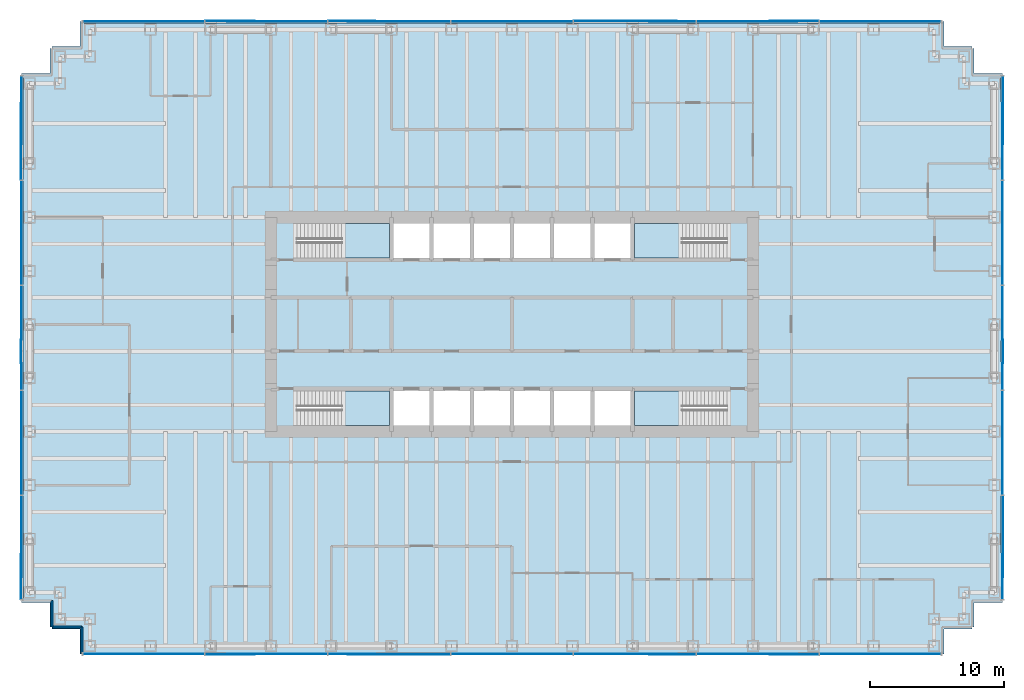
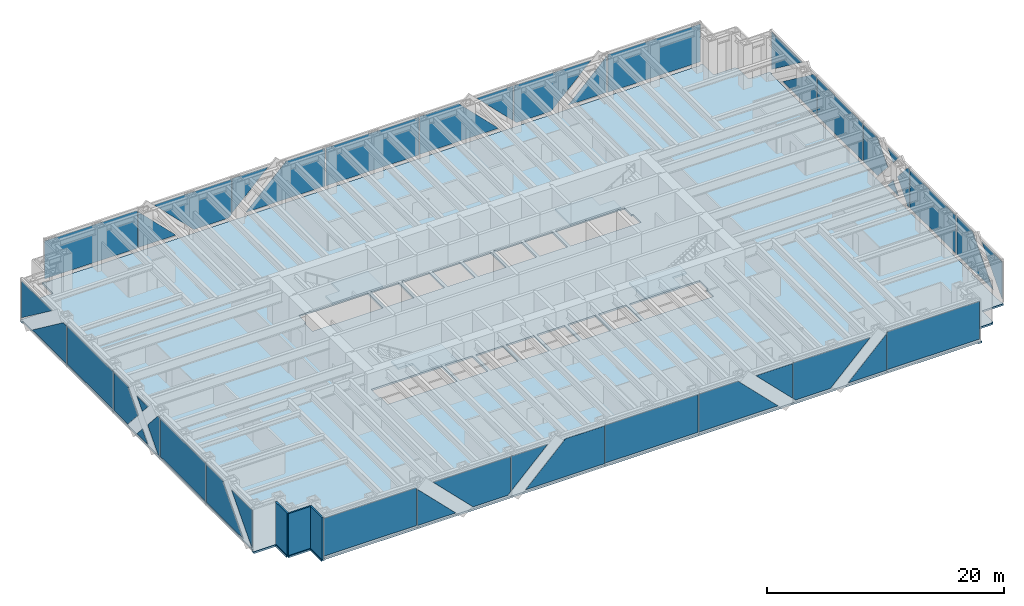
# One storey, part 8 of 13: 42 plates, 5 slabs, 3 walls, 8 elements without a shape of their own.
"""IFC4 building model written with IfcOpenShell, lengths in metres."""

import ifcopenshell
import ifcopenshell.guid

model = None  # the IFC model being written
_history = None  # IfcOwnerHistory: only IFC2X3 demands one
_inside = {}  # id of a spatial element -> (the spatial element, [elements in it])
_under = {}  # id of a project, library or spatial element -> (it, [spatial elements below it])
_declared = {}  # id of a project -> (the project, [libraries it declares])
_typed = {}  # id of a type object -> (the type object, [elements of that type])
_made_of = {}  # id of a material, layer set ... -> (it, [elements and type objects made of it])


def new_model(schema):
    """Start an empty IFC model of exactly this schema.

    Asked for "IFC4X3", IfcOpenShell would pick the latest addendum, in which some entities
    have other attributes; the version numbers below select the first issue.
    IFC2X3 requires an IfcOwnerHistory on every rooted entity: one is made here for all.
    """
    global model, _history
    if schema == "IFC4X3":
        model = ifcopenshell.file(schema_version=(4, 3, 0, 0))
    else:
        model = ifcopenshell.file(schema=schema)
    _inside.clear()
    _under.clear()
    _declared.clear()
    _typed.clear()
    _made_of.clear()
    _history = None
    if model.schema == "IFC2X3":
        org = make("IfcOrganization", Name="unknown")
        user = make(
            "IfcPersonAndOrganization",
            ThePerson=make("IfcPerson", FamilyName="unknown"),
            TheOrganization=org,
        )
        app = make(
            "IfcApplication",
            ApplicationDeveloper=org,
            Version="unknown",
            ApplicationFullName="unknown",
            ApplicationIdentifier="unknown",
        )
        _history = make(
            "IfcOwnerHistory",
            OwningUser=user,
            OwningApplication=app,
            ChangeAction="ADDED",
            CreationDate=0,
        )
    return model


def make(cls, **values):
    """One entity of the class cls with the attributes given. An attribute that is None is left unset."""
    return model.create_entity(
        cls, **{name: value for name, value in values.items() if value is not None}
    )


def rooted(cls, **values):
    """An entity with a GlobalId (a new one), such as an element, a storey or a relation."""
    return make(cls, GlobalId=ifcopenshell.guid.new(), OwnerHistory=_history, **values)


def si_unit(unit_type, name, prefix=None):
    """IfcSIUnit, for example si_unit("LENGTHUNIT", "METRE", prefix="MILLI")."""
    return make("IfcSIUnit", UnitType=unit_type, Prefix=prefix, Name=name)


def assignment(units):
    """IfcUnitAssignment: the units of a project."""
    return None if units is None else make("IfcUnitAssignment", Units=units)


def point(xyz):
    """IfcCartesianPoint."""
    return None if xyz is None else make("IfcCartesianPoint", Coordinates=xyz)


def direction(xyz):
    """IfcDirection."""
    return None if xyz is None else make("IfcDirection", DirectionRatios=xyz)


def frame(location, z_axis=None, x_axis=None):
    """IfcAxis2Placement3D, a coordinate frame: its origin and axes. An axis left out is left unset."""
    return make(
        "IfcAxis2Placement3D",
        Location=point(location),
        Axis=direction(z_axis),
        RefDirection=direction(x_axis),
    )


def frame_2d(location, x_axis=None):
    """IfcAxis2Placement2D, a coordinate frame in the plane: its origin and x axis."""
    return make(
        "IfcAxis2Placement2D", Location=point(location), RefDirection=direction(x_axis)
    )


def origin():
    """The frame at (0, 0, 0) with its axes left unset."""
    return frame((0.0, 0.0, 0.0))


def origin_2d():
    """The frame at (0, 0) in the plane with its x axis left unset."""
    return frame_2d((0.0, 0.0))


def place(relative_to, where):
    """IfcLocalPlacement: puts the frame where relative to a parent placement (None: the world)."""
    return make(
        "IfcLocalPlacement", PlacementRelTo=relative_to, RelativePlacement=where
    )


def context(
    kind, dimensions, precision=None, world=None, true_north=None, identifier=None
):
    """IfcGeometricRepresentationContext, for example the 3D "Model" context."""
    return make(
        "IfcGeometricRepresentationContext",
        ContextIdentifier=identifier,
        ContextType=kind,
        CoordinateSpaceDimension=dimensions,
        Precision=precision,
        WorldCoordinateSystem=world,
        TrueNorth=true_north,
    )


def subcontext(parent, identifier, kind, view, scale=None):
    """IfcGeometricRepresentationSubContext, for example "Body" below "Model"."""
    return make(
        "IfcGeometricRepresentationSubContext",
        ContextIdentifier=identifier,
        ContextType=kind,
        ParentContext=parent,
        TargetScale=scale,
        TargetView=view,
    )


def project(units=None, contexts=None):
    """IfcProject with its units and contexts."""
    return rooted(
        "IfcProject",
        Name="project",
        RepresentationContexts=contexts,
        UnitsInContext=assignment(units),
    )


def spatial(cls, under=None, at=None, **own):
    """A site, building, storey or space (cls), placed at a placement, below another one or the project."""
    s = rooted(cls, ObjectPlacement=at, **own)
    if under is not None:
        _under.setdefault(under.id(), (under, []))[1].append(s)
    return s


def polyline(points):
    """IfcPolyline through the points."""
    return make("IfcPolyline", Points=[point(p) for p in points])


def profile(cls, at=None, kind="AREA", **sizes):
    """A parametric profile (cls). Its sizes go by their IFC names, for example OverallWidth=200.0."""
    return make(cls, ProfileType=kind, Position=at, **sizes)


def rectangle(**sizes):
    """IfcRectangleProfileDef."""
    return profile("IfcRectangleProfileDef", **sizes)


def outline(outer, holes=None, kind="AREA"):
    """IfcArbitraryClosedProfileDef: a profile drawn as a closed curve; with holes, ...WithVoids."""
    if holes is None:
        return make("IfcArbitraryClosedProfileDef", ProfileType=kind, OuterCurve=outer)
    return make(
        "IfcArbitraryProfileDefWithVoids",
        ProfileType=kind,
        OuterCurve=outer,
        InnerCurves=holes,
    )


def extrude(swept, where, along, depth):
    """IfcExtrudedAreaSolid: the profile swept, set in the frame where, extruded along a direction by depth."""
    return make(
        "IfcExtrudedAreaSolid",
        SweptArea=swept,
        Position=where,
        ExtrudedDirection=direction(along),
        Depth=depth,
    )


def shape(context_of_items, identifier, shape_type, items):
    """IfcShapeRepresentation: the items that make up one representation, for example the "Body"."""
    return make(
        "IfcShapeRepresentation",
        ContextOfItems=context_of_items,
        RepresentationIdentifier=identifier,
        RepresentationType=shape_type,
        Items=items,
    )


def material(Name=None, Category=None):
    """IfcMaterial."""
    return make("IfcMaterial", Name=Name, Category=Category)


def layer(
    of_material, thickness, ventilated=None, Name=None, Category=None, Priority=None
):
    """IfcMaterialLayer: one layer of a wall or slab, of a material (None: an air gap)."""
    return make(
        "IfcMaterialLayer",
        Material=of_material,
        LayerThickness=thickness,
        IsVentilated=ventilated,
        Name=Name,
        Category=Category,
        Priority=Priority,
    )


def layer_set(layers, Name=None):
    """IfcMaterialLayerSet."""
    return make("IfcMaterialLayerSet", MaterialLayers=layers, LayerSetName=Name)


def made_of(thing, what):
    """Note that an element or type object is made of a material, layer set ...; save() writes the relation."""
    if what is not None:
        _made_of.setdefault(what.id(), (what, []))[1].append(thing)
    return thing


def type_object(cls, material=None, **own):
    """A type object (cls), such as IfcWallType, which elements share."""
    return made_of(rooted(cls, **own), material)


def element(
    cls,
    number,
    at=None,
    inside=None,
    cuts=None,
    type_object=None,
    material=None,
    context=None,
    identifier="Body",
    shape_type=None,
    held_by="IfcProductDefinitionShape",
    body=None,
    shapes=None,
    **own,
):
    """One element of the class cls, such as IfcWall. Its Tag is "e" and its number.

    at: its placement. inside: the storey or other place that contains it. cuts: it is an
    opening in that element (IfcRelVoidsElement). A single representation is given by context,
    identifier, shape_type and body (its items); several are given by shapes. held_by: the class
    of the entity that holds the representations. save() writes the other relations.
    """
    e = rooted(cls, Tag="e%d" % number, ObjectPlacement=at, **own)
    if body is not None:
        shapes = [shape(context, identifier, shape_type, body)]
    if shapes is not None:
        e.Representation = make(held_by, Representations=shapes)
    if inside is not None:
        _inside.setdefault(inside.id(), (inside, []))[1].append(e)
    if cuts is not None:
        rooted(
            "IfcRelVoidsElement", RelatingBuildingElement=cuts, RelatedOpeningElement=e
        )
    if type_object is not None:
        _typed.setdefault(type_object.id(), (type_object, []))[1].append(e)
    return made_of(e, material)


def aggregate(whole, parts):
    """IfcRelAggregates: a whole, such as a stair, and the parts it consists of."""
    return rooted("IfcRelAggregates", RelatingObject=whole, RelatedObjects=parts)


def save(model, path):
    """Write the relations noted so far, then the file.

    IfcRelAggregates (storeys below a building ...), IfcRelContainedInSpatialStructure (elements
    in a storey), IfcRelDefinesByType, IfcRelAssociatesMaterial and IfcRelDeclares: one each for
    every whole, place, type object, material and project.
    """
    for whole, parts in _under.values():
        aggregate(whole, parts)
    for where, things in _inside.values():
        rooted(
            "IfcRelContainedInSpatialStructure",
            RelatedElements=things,
            RelatingStructure=where,
        )
    for kind, things in _typed.values():
        rooted("IfcRelDefinesByType", RelatedObjects=things, RelatingType=kind)
    for what, things in _made_of.values():
        rooted("IfcRelAssociatesMaterial", RelatedObjects=things, RelatingMaterial=what)
    for by, libraries in _declared.values():
        rooted("IfcRelDeclares", RelatingContext=by, RelatedDefinitions=libraries)
    model.write(path)


model = new_model("IFC4")

# Units and contexts
model_context = context("Model", 3, precision=1e-05, world=origin(), true_north=direction((0.0, 1.0)))
body_context = subcontext(model_context, "Body", "Model", "MODEL_VIEW")
ifc_project = project(units=[si_unit("LENGTHUNIT", "METRE"), si_unit("AREAUNIT", "SQUARE_METRE"), si_unit("VOLUMEUNIT", "CUBIC_METRE"), si_unit("PLANEANGLEUNIT", "RADIAN"), si_unit("MASSUNIT", "GRAM", prefix="KILO")], contexts=[model_context])

# Site, building, storey
site_placement = place(None, origin())
site = spatial("IfcSite", under=ifc_project, at=site_placement, CompositionType="ELEMENT")
building_placement = place(site_placement, origin())
building = spatial("IfcBuilding", under=site, at=building_placement, Name="Rheinbord Bourse Tower", CompositionType="ELEMENT")
storey_placement = place(building_placement, frame((0.0, 0.0, 81.5)))
storey = spatial("IfcBuildingStorey", under=building, at=storey_placement, Name="L17", CompositionType="ELEMENT", Elevation=81.5)

# Slab
ifc_material_1 = material(Name="Concrete C30/37", Category="concrete")
ifc_layer_1 = layer(ifc_material_1, 0.179931640625)
ifc_layer_set_1 = layer_set([ifc_layer_1], Name="COMPOSITE FLOOR SLAB 180")
slab_type_1 = type_object("IfcSlabType", Name="COMPOSITE FLOOR SLAB 180", PredefinedType="FLOOR", material=ifc_layer_set_1)
slab_1_placement = place(storey_placement, frame((0.0, 0.0, -0.179931640625)))
element("IfcSlab", 1, at=slab_1_placement, inside=storey, type_object=slab_type_1, Name="Floor slab L17", PredefinedType="FLOOR", context=body_context, shape_type="SweptSolid", body=[
    extrude(outline(polyline([(1.64990234375, 1.39990234375), (1.5, 1.39990234375), (1.5, 3.25), (-0.60009765625, 3.25), (-0.60009765625, 3.550048828125), (-0.5, 3.550048828125), (-0.5, 42.449951171875), (-0.60009765625, 42.449951171875), (-0.60009765625, 42.75), (1.5, 42.75), (1.5, 44.60009765625), (1.64990234375, 44.60009765625), (1.64990234375, 44.75), (3.75, 44.75), (3.75, 46.60009765625), (4.050048828125, 46.60009765625), (4.050048828125, 46.5), (67.949951171875, 46.5), (67.949951171875, 46.60009765625), (68.25, 46.60009765625), (68.25, 44.75), (70.35009765625, 44.75), (70.35009765625, 44.60009765625), (70.5, 44.60009765625), (70.5, 42.75), (72.60009765625, 42.75), (72.60009765625, 42.449951171875), (72.5, 42.449951171875), (72.5, 3.550048828125), (72.60009765625, 3.550048828125), (72.60009765625, 3.25), (70.5, 3.25), (70.5, 1.39990234375), (70.35009765625, 1.39990234375), (70.35009765625, 1.25), (68.25, 1.25), (68.25, -0.60009765625), (67.949951171875, -0.60009765625), (67.949951171875, -0.5), (4.050048828125, -0.5), (4.050048828125, -0.60009765625), (3.75, -0.60009765625), (3.75, 1.25), (1.64990234375, 1.25), (1.64990234375, 1.39990234375)]), holes=[polyline([(19.949951171875, 19.050048828125), (26.85009765625, 19.050048828125), (26.85009765625, 16.449951171875), (20.10009765625, 16.449951171875), (20.10009765625, 17.64990234375), (19.949951171875, 17.64990234375), (19.949951171875, 19.050048828125)]), polyline([(26.85009765625, 31.550048828125), (26.85009765625, 28.949951171875), (19.949951171875, 28.949951171875), (19.949951171875, 30.35009765625), (20.10009765625, 30.35009765625), (20.10009765625, 31.550048828125), (26.85009765625, 31.550048828125)]), polyline([(45.14990234375, 16.449951171875), (45.14990234375, 19.050048828125), (52.050048828125, 19.050048828125), (52.050048828125, 17.64990234375), (51.89990234375, 17.64990234375), (51.89990234375, 16.449951171875), (45.14990234375, 16.449951171875)]), polyline([(52.050048828125, 28.949951171875), (45.14990234375, 28.949951171875), (45.14990234375, 31.550048828125), (51.89990234375, 31.550048828125), (51.89990234375, 30.35009765625), (52.050048828125, 30.35009765625), (52.050048828125, 28.949951171875)]), polyline([(27.14990234375, 16.449951171875), (27.14990234375, 19.050048828125), (29.85009765625, 19.050048828125), (29.85009765625, 16.449951171875), (27.14990234375, 16.449951171875)]), polyline([(27.14990234375, 28.949951171875), (27.14990234375, 31.550048828125), (29.85009765625, 31.550048828125), (29.85009765625, 28.949951171875), (27.14990234375, 28.949951171875)]), polyline([(30.14990234375, 16.449951171875), (30.14990234375, 19.050048828125), (32.85009765625, 19.050048828125), (32.85009765625, 16.449951171875), (30.14990234375, 16.449951171875)]), polyline([(30.14990234375, 28.949951171875), (30.14990234375, 31.550048828125), (32.85009765625, 31.550048828125), (32.85009765625, 28.949951171875), (30.14990234375, 28.949951171875)]), polyline([(33.14990234375, 16.449951171875), (33.14990234375, 19.050048828125), (35.85009765625, 19.050048828125), (35.85009765625, 16.449951171875), (33.14990234375, 16.449951171875)]), polyline([(33.14990234375, 28.949951171875), (33.14990234375, 31.550048828125), (35.85009765625, 31.550048828125), (35.85009765625, 28.949951171875), (33.14990234375, 28.949951171875)]), polyline([(36.14990234375, 16.449951171875), (36.14990234375, 19.050048828125), (38.85009765625, 19.050048828125), (38.85009765625, 16.449951171875), (36.14990234375, 16.449951171875)]), polyline([(36.14990234375, 28.949951171875), (36.14990234375, 31.550048828125), (38.85009765625, 31.550048828125), (38.85009765625, 28.949951171875), (36.14990234375, 28.949951171875)]), polyline([(39.14990234375, 16.449951171875), (39.14990234375, 19.050048828125), (41.85009765625, 19.050048828125), (41.85009765625, 16.449951171875), (39.14990234375, 16.449951171875)]), polyline([(39.14990234375, 28.949951171875), (39.14990234375, 31.550048828125), (41.85009765625, 31.550048828125), (41.85009765625, 28.949951171875), (39.14990234375, 28.949951171875)]), polyline([(42.14990234375, 16.449951171875), (42.14990234375, 19.050048828125), (44.85009765625, 19.050048828125), (44.85009765625, 16.449951171875), (42.14990234375, 16.449951171875)]), polyline([(42.14990234375, 28.949951171875), (42.14990234375, 31.550048828125), (44.85009765625, 31.550048828125), (44.85009765625, 28.949951171875), (42.14990234375, 28.949951171875)])]), origin(), (0.0, 0.0, 1.0), 0.179931640625),
])

# Curtain wall, plates
ifc_material_2 = material(Name="Dark glass and black aluminium", Category="aluminium")
curtain_wall_type = type_object("IfcCurtainWallType", Name="CW1 DARK GLASS CURTAIN WALL", PredefinedType="USERDEFINED", material=ifc_material_2)
curtain_wall_1_placement = place(storey_placement, origin())
curtain_wall_1 = element("IfcCurtainWall", 2, at=curtain_wall_1_placement, inside=storey, type_object=curtain_wall_type, Name="Curtain wall CW1 S L17", ObjectType="UNITISED CURTAIN WALL", PredefinedType="USERDEFINED")
ifc_material_3 = material(Name="Dark tinted triple insulating glass", Category="glass")
ifc_layer_2 = layer(ifc_material_3, 0.0439453125)
ifc_layer_set_2 = layer_set([ifc_layer_2], Name="CW1 DARK GLASS PANEL")
plate_type = type_object("IfcPlateType", Name="CW1 DARK GLASS PANEL", PredefinedType="CURTAIN_PANEL", material=ifc_layer_set_2)
plate_1_placement = place(storey_placement, frame((36.0, -0.60009765625, 0.300048828125), z_axis=(0.0, 0.0, 1.0), x_axis=(1.0, 0.0, 0.0)))
plate_1 = element("IfcPlate", 3, at=plate_1_placement, type_object=plate_type, Name="CW1 panel 4.1", PredefinedType="CURTAIN_PANEL", context=body_context, shape_type="SweptSolid", body=[
    extrude(rectangle(XDim=9.09130859375, YDim=0.0439453125, at=origin_2d()), origin(), (0.0, 0.0, 1.0), 3.89990234375),
])
plate_2_placement = place(storey_placement, frame((13.031005859375, -0.6220703125, 0.300048828125), z_axis=(0.0, 1.0, 0.0), x_axis=(-1.0, 0.0, 0.0)))
plate_2 = element("IfcPlate", 4, at=plate_2_placement, type_object=plate_type, Name="CW1 glass facet 1", PredefinedType="CURTAIN_PANEL", context=body_context, shape_type="SweptSolid", body=[
    extrude(outline(polyline([(0.0, 0.0), (9.051025390625, 0.0), (9.051025390625, 3.89990234375), (0.0869140625, 3.89990234375), (0.0, 3.81298828125), (0.0, 0.0)])), origin(), (0.0, 0.0, 1.0), 0.0439453125),
])
plate_3_placement = place(storey_placement, frame((13.111083984375, -0.6708984375, 0.300048828125), z_axis=(0.0, 1.0, 0.0), x_axis=(0.0, 0.0, 1.0)))
plate_3 = element("IfcPlate", 5, at=plate_3_placement, type_object=plate_type, Name="CW1 glass facet 1", PredefinedType="CURTAIN_PANEL", context=body_context, shape_type="SweptSolid", body=[
    extrude(outline(polyline([(0.0, 0.0), (3.73291015625, 0.0), (0.0, 3.73291015625), (0.0, 0.0)])), origin(), (0.0, 0.0, 1.0), 0.0439453125),
])
plate_4_placement = place(storey_placement, frame((18.555908203125, -0.6220703125, 0.300048828125), z_axis=(0.0, 1.0, 0.0), x_axis=(-0.707106781187, 0.0, 0.707106781187)))
plate_4 = element("IfcPlate", 6, at=plate_4_placement, type_object=plate_type, Name="CW1 glass facet 2", PredefinedType="CURTAIN_PANEL", context=body_context, shape_type="SweptSolid", body=[
    extrude(outline(polyline([(0.0, 0.0), (5.515380859375, 0.0), (0.178955078125, 5.33642578125), (-2.396240234375, 2.76123046875), (-2.395751953125, 2.395751953125), (0.0, 0.0)])), origin(), (0.0, 0.0, 1.0), 0.0439453125),
])
plate_5_placement = place(storey_placement, frame((22.282958984375, -0.6220703125, 4.199951171875), z_axis=(0.0, 1.0, 0.0), x_axis=(1.0, 0.0, 0.0)))
plate_5 = element("IfcPlate", 7, at=plate_5_placement, type_object=plate_type, Name="CW1 glass facet 1", PredefinedType="CURTAIN_PANEL", context=body_context, shape_type="SweptSolid", body=[
    extrude(outline(polyline([(0.0, 0.0), (3.56103515625, 0.0), (0.0, 3.56201171875), (0.0, 0.0)])), origin(), (0.0, 0.0, 1.0), 0.0439453125),
])
plate_6_placement = place(storey_placement, frame((31.3740234375, -0.6708984375, 4.199951171875), z_axis=(0.0, 1.0, 0.0), x_axis=(0.0, 0.0, -1.0)))
plate_6 = element("IfcPlate", 8, at=plate_6_placement, type_object=plate_type, Name="CW1 glass facet 2", PredefinedType="CURTAIN_PANEL", context=body_context, shape_type="SweptSolid", body=[
    extrude(outline(polyline([(0.0, 0.0), (3.89990234375, 0.0), (3.89990234375, 7.718017578125), (0.0, 3.818115234375), (0.0, 0.0)])), origin(), (0.0, 0.0, 1.0), 0.0439453125),
])
plate_7_placement = place(storey_placement, frame((40.6259765625, -0.6220703125, 0.300048828125), z_axis=(0.0, 1.0, 0.0), x_axis=(0.0, 0.0, 1.0)))
plate_7 = element("IfcPlate", 9, at=plate_7_placement, type_object=plate_type, Name="CW1 glass facet 1", PredefinedType="CURTAIN_PANEL", context=body_context, shape_type="SweptSolid", body=[
    extrude(outline(polyline([(0.0, 0.0), (3.89990234375, 0.0), (3.89990234375, 3.818115234375), (0.0, 7.718017578125), (0.0, 0.0)])), origin(), (0.0, 0.0, 1.0), 0.0439453125),
])
plate_8_placement = place(storey_placement, frame((49.717041015625, -0.6708984375, 4.199951171875), z_axis=(0.0, 1.0, 0.0), x_axis=(0.0, 0.0, -1.0)))
plate_8 = element("IfcPlate", 10, at=plate_8_placement, type_object=plate_type, Name="CW1 glass facet 2", PredefinedType="CURTAIN_PANEL", context=body_context, shape_type="SweptSolid", body=[
    extrude(outline(polyline([(0.0, 0.0), (3.56201171875, 0.0), (0.0, 3.56103515625), (0.0, 0.0)])), origin(), (0.0, 0.0, 1.0), 0.0439453125),
])
plate_9_placement = place(storey_placement, frame((50.055908203125, -0.6220703125, 0.300048828125), z_axis=(0.0, 1.0, 0.0), x_axis=(-0.708108110971, 0.0, 0.706104031412)))
plate_9 = element("IfcPlate", 11, at=plate_9_placement, type_object=plate_type, Name="CW1 glass facet 1", PredefinedType="CURTAIN_PANEL", context=body_context, shape_type="SweptSolid", body=[
    extrude(outline(polyline([(0.0, 0.0), (0.365478515625, 0.0), (2.93701171875, 2.578857421875), (-2.406982421875, 7.90771484375), (-2.399169921875, 2.392333984375), (0.0, 0.0)])), origin(), (0.0, 0.0, 1.0), 0.0439453125),
])
plate_10_placement = place(storey_placement, frame((58.888916015625, -0.6708984375, 0.300048828125), z_axis=(0.0, 1.0, 0.0), x_axis=(-1.0, 0.0, 0.0)))
plate_10 = element("IfcPlate", 12, at=plate_10_placement, type_object=plate_type, Name="CW1 glass facet 2", PredefinedType="CURTAIN_PANEL", context=body_context, shape_type="SweptSolid", body=[
    extrude(outline(polyline([(0.0, 0.0), (3.73291015625, 0.0), (0.0, 3.73291015625), (0.0, 0.0)])), origin(), (0.0, 0.0, 1.0), 0.0439453125),
])
plate_11_placement = place(storey_placement, frame((68.02001953125, -0.6220703125, 4.199951171875), z_axis=(0.0, 1.0, 0.0), x_axis=(0.0, 0.0, -1.0)))
plate_11 = element("IfcPlate", 13, at=plate_11_placement, type_object=plate_type, Name="CW1 glass facet 1", PredefinedType="CURTAIN_PANEL", context=body_context, shape_type="SweptSolid", body=[
    extrude(outline(polyline([(0.0, 0.0), (3.89990234375, 0.0), (3.89990234375, 9.051025390625), (0.0869140625, 9.051025390625), (0.0, 8.964111328125), (0.0, 0.0)])), origin(), (0.0, 0.0, 1.0), 0.0439453125),
])
aggregate(curtain_wall_1, [plate_1, plate_2, plate_3, plate_4, plate_5, plate_6, plate_7, plate_8, plate_9, plate_10, plate_11])

curtain_wall_2_placement = place(storey_placement, origin())
curtain_wall_2 = element("IfcCurtainWall", 14, at=curtain_wall_2_placement, inside=storey, type_object=curtain_wall_type, Name="Curtain wall CW1 E L17", ObjectType="UNITISED CURTAIN WALL", PredefinedType="USERDEFINED")
plate_12_placement = place(storey_placement, frame((72.60009765625, 15.159912109375, 0.300048828125), z_axis=(0.0, 0.0, 1.0), x_axis=(0.0, 1.0, 0.0)))
plate_12 = element("IfcPlate", 15, at=plate_12_placement, type_object=plate_type, Name="CW1 panel 2.1", PredefinedType="CURTAIN_PANEL", context=body_context, shape_type="SweptSolid", body=[
    extrude(rectangle(XDim=7.760009765625, YDim=0.0439453125, at=origin_2d()), origin(), (0.0, 0.0, 1.0), 3.89990234375),
])
plate_13_placement = place(storey_placement, frame((72.60009765625, 30.840087890625, 0.300048828125), z_axis=(0.0, 0.0, 1.0), x_axis=(0.0, 1.0, 0.0)))
plate_13 = element("IfcPlate", 16, at=plate_13_placement, type_object=plate_type, Name="CW1 panel 4.1", PredefinedType="CURTAIN_PANEL", context=body_context, shape_type="SweptSolid", body=[
    extrude(rectangle(XDim=7.760009765625, YDim=0.0439453125, at=origin_2d()), origin(), (0.0, 0.0, 1.0), 3.89990234375),
])
plate_14_placement = place(storey_placement, frame((72.6220703125, 3.47998046875, 4.199951171875), z_axis=(-1.0, 0.0, 0.0), x_axis=(0.0, 1.0, 0.0)))
plate_14 = element("IfcPlate", 17, at=plate_14_placement, type_object=plate_type, Name="CW1 glass facet 1", PredefinedType="CURTAIN_PANEL", context=body_context, shape_type="SweptSolid", body=[
    extrude(outline(polyline([(0.0, 0.0), (3.444091796875, 0.0), (0.0, 3.8740234375), (0.0, 0.0)])), origin(), (0.0, 0.0, 1.0), 0.0439453125),
])
plate_15_placement = place(storey_placement, frame((72.6708984375, 11.199951171875, 4.199951171875), z_axis=(-1.0, 0.0, 0.0), x_axis=(0.0, 0.0, -1.0)))
plate_15 = element("IfcPlate", 18, at=plate_15_placement, type_object=plate_type, Name="CW1 glass facet 2", PredefinedType="CURTAIN_PANEL", context=body_context, shape_type="SweptSolid", body=[
    extrude(outline(polyline([(0.0, 0.0), (3.89990234375, 0.0), (3.89990234375, 6.1240234375), (0.0, 2.656982421875), (0.0, 0.0)])), origin(), (0.0, 0.0, 1.0), 0.0439453125),
])
plate_16_placement = place(storey_placement, frame((72.6220703125, 19.1201171875, 0.300048828125), z_axis=(-1.0, 0.0, 0.0), x_axis=(0.0, 0.0, 1.0)))
plate_16 = element("IfcPlate", 19, at=plate_16_placement, type_object=plate_type, Name="CW1 glass facet 1", PredefinedType="CURTAIN_PANEL", context=body_context, shape_type="SweptSolid", body=[
    extrude(outline(polyline([(0.0, 0.0), (3.89990234375, 0.0), (3.89990234375, 0.3369140625), (1.949951171875, 2.07080078125), (0.0, 0.3369140625), (0.0, 0.0)])), origin(), (0.0, 0.0, 1.0), 0.0439453125),
])
plate_17_placement = place(storey_placement, frame((72.6708984375, 21.075927734375, 0.300048828125), z_axis=(-1.0, 0.0, 0.0), x_axis=(0.0, 0.664549079677, 0.747244619051)))
plate_17 = element("IfcPlate", 20, at=plate_17_placement, type_object=plate_type, Name="CW1 glass facet 2", PredefinedType="CURTAIN_PANEL", context=body_context, shape_type="SweptSolid", body=[
    extrude(outline(polyline([(0.0, 0.0), (1.390625, 0.0), (1.228271484375, 1.381103515625), (0.0, 0.0)])), origin(), (0.0, 0.0, 1.0), 0.0439453125),
])
plate_18_placement = place(storey_placement, frame((72.6708984375, 22.924072265625, 4.199951171875), z_axis=(-1.0, 0.0, 0.0), x_axis=(0.0, -0.664549079677, -0.747244619051)))
plate_18 = element("IfcPlate", 21, at=plate_18_placement, type_object=plate_type, Name="CW1 glass facet 3", PredefinedType="CURTAIN_PANEL", context=body_context, shape_type="SweptSolid", body=[
    extrude(outline(polyline([(0.0, 0.0), (1.390625, 0.0), (1.228271484375, 1.381103515625), (0.0, 0.0)])), origin(), (0.0, 0.0, 1.0), 0.0439453125),
])
plate_19_placement = place(storey_placement, frame((72.6220703125, 26.8798828125, 4.199951171875), z_axis=(-1.0, 0.0, 0.0), x_axis=(0.0, 0.0, -1.0)))
plate_19 = element("IfcPlate", 22, at=plate_19_placement, type_object=plate_type, Name="CW1 glass facet 4", PredefinedType="CURTAIN_PANEL", context=body_context, shape_type="SweptSolid", body=[
    extrude(outline(polyline([(0.0, 0.0), (3.89990234375, 0.0), (3.89990234375, 2.3369140625), (1.949951171875, 4.07080078125), (0.0, 2.3369140625), (0.0, 0.0)])), origin(), (0.0, 0.0, 1.0), 0.0439453125),
])
plate_20_placement = place(storey_placement, frame((72.6220703125, 34.800048828125, 0.300048828125), z_axis=(-1.0, 0.0, 0.0), x_axis=(0.0, 0.0, 1.0)))
plate_20 = element("IfcPlate", 23, at=plate_20_placement, type_object=plate_type, Name="CW1 glass facet 1", PredefinedType="CURTAIN_PANEL", context=body_context, shape_type="SweptSolid", body=[
    extrude(outline(polyline([(0.0, 0.0), (3.89990234375, 0.0), (3.89990234375, 0.592041015625), (0.0, 5.7919921875), (0.0, 0.0)])), origin(), (0.0, 0.0, 1.0), 0.0439453125),
])
plate_21_placement = place(storey_placement, frame((72.6708984375, 42.52001953125, 4.199951171875), z_axis=(-1.0, 0.0, 0.0), x_axis=(0.0, 0.0, -1.0)))
plate_21 = element("IfcPlate", 24, at=plate_21_placement, type_object=plate_type, Name="CW1 glass facet 2", PredefinedType="CURTAIN_PANEL", context=body_context, shape_type="SweptSolid", body=[
    extrude(outline(polyline([(0.0, 0.0), (3.833984375, 0.0), (0.0, 5.112060546875), (0.0, 0.0)])), origin(), (0.0, 0.0, 1.0), 0.0439453125),
])
aggregate(curtain_wall_2, [plate_12, plate_13, plate_14, plate_15, plate_16, plate_17, plate_18, plate_19, plate_20, plate_21])

curtain_wall_3_placement = place(storey_placement, origin())
curtain_wall_3 = element("IfcCurtainWall", 25, at=curtain_wall_3_placement, inside=storey, type_object=curtain_wall_type, Name="Curtain wall CW1 N L17", ObjectType="UNITISED CURTAIN WALL", PredefinedType="USERDEFINED")
plate_22_placement = place(storey_placement, frame((36.0, 46.60009765625, 0.300048828125), z_axis=(0.0, 0.0, 1.0), x_axis=(-1.0, 0.0, 0.0)))
plate_22 = element("IfcPlate", 26, at=plate_22_placement, type_object=plate_type, Name="CW1 panel 4.1", PredefinedType="CURTAIN_PANEL", context=body_context, shape_type="SweptSolid", body=[
    extrude(rectangle(XDim=9.09130859375, YDim=0.0439453125, at=origin_2d()), origin(), (0.0, 0.0, 1.0), 3.89990234375),
])
plate_23_placement = place(storey_placement, frame((58.968994140625, 46.6220703125, 0.300048828125), z_axis=(0.0, -1.0, 0.0), x_axis=(1.0, 0.0, 0.0)))
plate_23 = element("IfcPlate", 27, at=plate_23_placement, type_object=plate_type, Name="CW1 glass facet 1", PredefinedType="CURTAIN_PANEL", context=body_context, shape_type="SweptSolid", body=[
    extrude(outline(polyline([(0.0, 0.0), (9.051025390625, 0.0), (9.051025390625, 3.89990234375), (0.0869140625, 3.89990234375), (0.0, 3.81298828125), (0.0, 0.0)])), origin(), (0.0, 0.0, 1.0), 0.0439453125),
])
plate_24_placement = place(storey_placement, frame((58.888916015625, 46.6708984375, 0.300048828125), z_axis=(0.0, -1.0, 0.0), x_axis=(0.0, 0.0, 1.0)))
plate_24 = element("IfcPlate", 28, at=plate_24_placement, type_object=plate_type, Name="CW1 glass facet 1", PredefinedType="CURTAIN_PANEL", context=body_context, shape_type="SweptSolid", body=[
    extrude(outline(polyline([(0.0, 0.0), (3.73291015625, 0.0), (0.0, 3.73291015625), (0.0, 0.0)])), origin(), (0.0, 0.0, 1.0), 0.0439453125),
])
plate_25_placement = place(storey_placement, frame((53.444091796875, 46.6220703125, 0.300048828125), z_axis=(0.0, -1.0, 0.0), x_axis=(0.707106781187, 0.0, 0.707106781187)))
plate_25 = element("IfcPlate", 29, at=plate_25_placement, type_object=plate_type, Name="CW1 glass facet 2", PredefinedType="CURTAIN_PANEL", context=body_context, shape_type="SweptSolid", body=[
    extrude(outline(polyline([(0.0, 0.0), (5.515380859375, 0.0), (0.178955078125, 5.33642578125), (-2.396240234375, 2.76123046875), (-2.395751953125, 2.395751953125), (0.0, 0.0)])), origin(), (0.0, 0.0, 1.0), 0.0439453125),
])
plate_26_placement = place(storey_placement, frame((49.717041015625, 46.6220703125, 4.199951171875), z_axis=(0.0, -1.0, 0.0), x_axis=(-1.0, 0.0, 0.0)))
plate_26 = element("IfcPlate", 30, at=plate_26_placement, type_object=plate_type, Name="CW1 glass facet 1", PredefinedType="CURTAIN_PANEL", context=body_context, shape_type="SweptSolid", body=[
    extrude(outline(polyline([(0.0, 0.0), (3.56103515625, 0.0), (0.0, 3.56201171875), (0.0, 0.0)])), origin(), (0.0, 0.0, 1.0), 0.0439453125),
])
plate_27_placement = place(storey_placement, frame((40.6259765625, 46.6708984375, 4.199951171875), z_axis=(0.0, -1.0, 0.0), x_axis=(0.0, 0.0, -1.0)))
plate_27 = element("IfcPlate", 31, at=plate_27_placement, type_object=plate_type, Name="CW1 glass facet 2", PredefinedType="CURTAIN_PANEL", context=body_context, shape_type="SweptSolid", body=[
    extrude(outline(polyline([(0.0, 0.0), (3.89990234375, 0.0), (3.89990234375, 7.718017578125), (0.0, 3.818115234375), (0.0, 0.0)])), origin(), (0.0, 0.0, 1.0), 0.0439453125),
])
plate_28_placement = place(storey_placement, frame((31.3740234375, 46.6220703125, 0.300048828125), z_axis=(0.0, -1.0, 0.0), x_axis=(0.0, 0.0, 1.0)))
plate_28 = element("IfcPlate", 32, at=plate_28_placement, type_object=plate_type, Name="CW1 glass facet 1", PredefinedType="CURTAIN_PANEL", context=body_context, shape_type="SweptSolid", body=[
    extrude(outline(polyline([(0.0, 0.0), (3.89990234375, 0.0), (3.89990234375, 3.818115234375), (0.0, 7.718017578125), (0.0, 0.0)])), origin(), (0.0, 0.0, 1.0), 0.0439453125),
])
plate_29_placement = place(storey_placement, frame((22.282958984375, 46.6708984375, 4.199951171875), z_axis=(0.0, -1.0, 0.0), x_axis=(0.0, 0.0, -1.0)))
plate_29 = element("IfcPlate", 33, at=plate_29_placement, type_object=plate_type, Name="CW1 glass facet 2", PredefinedType="CURTAIN_PANEL", context=body_context, shape_type="SweptSolid", body=[
    extrude(outline(polyline([(0.0, 0.0), (3.56201171875, 0.0), (0.0, 3.56103515625), (0.0, 0.0)])), origin(), (0.0, 0.0, 1.0), 0.0439453125),
])
plate_30_placement = place(storey_placement, frame((21.944091796875, 46.6220703125, 0.300048828125), z_axis=(0.0, -1.0, 0.0), x_axis=(0.708108110971, 0.0, 0.706104031412)))
plate_30 = element("IfcPlate", 34, at=plate_30_placement, type_object=plate_type, Name="CW1 glass facet 1", PredefinedType="CURTAIN_PANEL", context=body_context, shape_type="SweptSolid", body=[
    extrude(outline(polyline([(0.0, 0.0), (0.365478515625, 0.0), (2.93701171875, 2.578857421875), (-2.406982421875, 7.90771484375), (-2.399169921875, 2.392333984375), (0.0, 0.0)])), origin(), (0.0, 0.0, 1.0), 0.0439453125),
])
plate_31_placement = place(storey_placement, frame((13.111083984375, 46.6708984375, 0.300048828125), z_axis=(0.0, -1.0, 0.0), x_axis=(1.0, 0.0, 0.0)))
plate_31 = element("IfcPlate", 35, at=plate_31_placement, type_object=plate_type, Name="CW1 glass facet 2", PredefinedType="CURTAIN_PANEL", context=body_context, shape_type="SweptSolid", body=[
    extrude(outline(polyline([(0.0, 0.0), (3.73291015625, 0.0), (0.0, 3.73291015625), (0.0, 0.0)])), origin(), (0.0, 0.0, 1.0), 0.0439453125),
])
plate_32_placement = place(storey_placement, frame((3.97998046875, 46.6220703125, 4.199951171875), z_axis=(0.0, -1.0, 0.0), x_axis=(0.0, 0.0, -1.0)))
plate_32 = element("IfcPlate", 36, at=plate_32_placement, type_object=plate_type, Name="CW1 glass facet 1", PredefinedType="CURTAIN_PANEL", context=body_context, shape_type="SweptSolid", body=[
    extrude(outline(polyline([(0.0, 0.0), (3.89990234375, 0.0), (3.89990234375, 9.051025390625), (0.0869140625, 9.051025390625), (0.0, 8.964111328125), (0.0, 0.0)])), origin(), (0.0, 0.0, 1.0), 0.0439453125),
])
aggregate(curtain_wall_3, [plate_22, plate_23, plate_24, plate_25, plate_26, plate_27, plate_28, plate_29, plate_30, plate_31, plate_32])

curtain_wall_4_placement = place(storey_placement, origin())
curtain_wall_4 = element("IfcCurtainWall", 37, at=curtain_wall_4_placement, inside=storey, type_object=curtain_wall_type, Name="Curtain wall CW1 W L17", ObjectType="UNITISED CURTAIN WALL", PredefinedType="USERDEFINED")
plate_33_placement = place(storey_placement, frame((-0.60009765625, 30.840087890625, 0.300048828125), z_axis=(0.0, 0.0, 1.0), x_axis=(0.0, -1.0, 0.0)))
plate_33 = element("IfcPlate", 38, at=plate_33_placement, type_object=plate_type, Name="CW1 panel 2.1", PredefinedType="CURTAIN_PANEL", context=body_context, shape_type="SweptSolid", body=[
    extrude(rectangle(XDim=7.760009765625, YDim=0.0439453125, at=origin_2d()), origin(), (0.0, 0.0, 1.0), 3.89990234375),
])
plate_34_placement = place(storey_placement, frame((-0.60009765625, 15.159912109375, 0.300048828125), z_axis=(0.0, 0.0, 1.0), x_axis=(0.0, -1.0, 0.0)))
plate_34 = element("IfcPlate", 39, at=plate_34_placement, type_object=plate_type, Name="CW1 panel 4.1", PredefinedType="CURTAIN_PANEL", context=body_context, shape_type="SweptSolid", body=[
    extrude(rectangle(XDim=7.760009765625, YDim=0.0439453125, at=origin_2d()), origin(), (0.0, 0.0, 1.0), 3.89990234375),
])
plate_35_placement = place(storey_placement, frame((-0.6220703125, 42.52001953125, 4.199951171875), z_axis=(1.0, 0.0, 0.0), x_axis=(0.0, -1.0, 0.0)))
plate_35 = element("IfcPlate", 40, at=plate_35_placement, type_object=plate_type, Name="CW1 glass facet 1", PredefinedType="CURTAIN_PANEL", context=body_context, shape_type="SweptSolid", body=[
    extrude(outline(polyline([(0.0, 0.0), (5.112060546875, 0.0), (0.0, 3.833984375), (0.0, 0.0)])), origin(), (0.0, 0.0, 1.0), 0.0439453125),
])
plate_36_placement = place(storey_placement, frame((-0.6708984375, 34.800048828125, 4.199951171875), z_axis=(1.0, 0.0, 0.0), x_axis=(0.0, 0.0, -1.0)))
plate_36 = element("IfcPlate", 41, at=plate_36_placement, type_object=plate_type, Name="CW1 glass facet 2", PredefinedType="CURTAIN_PANEL", context=body_context, shape_type="SweptSolid", body=[
    extrude(outline(polyline([(0.0, 0.0), (3.89990234375, 0.0), (3.89990234375, 5.7919921875), (0.0, 0.592041015625), (0.0, 0.0)])), origin(), (0.0, 0.0, 1.0), 0.0439453125),
])
plate_37_placement = place(storey_placement, frame((-0.6220703125, 26.8798828125, 0.300048828125), z_axis=(1.0, 0.0, 0.0), x_axis=(0.0, 0.0, 1.0)))
plate_37 = element("IfcPlate", 42, at=plate_37_placement, type_object=plate_type, Name="CW1 glass facet 1", PredefinedType="CURTAIN_PANEL", context=body_context, shape_type="SweptSolid", body=[
    extrude(outline(polyline([(0.0, 0.0), (3.89990234375, 0.0), (3.89990234375, 2.3369140625), (1.949951171875, 4.07080078125), (0.0, 2.3369140625), (0.0, 0.0)])), origin(), (0.0, 0.0, 1.0), 0.0439453125),
])
plate_38_placement = place(storey_placement, frame((-0.6708984375, 22.924072265625, 0.300048828125), z_axis=(1.0, 0.0, 0.0), x_axis=(0.0, -0.664549079677, 0.747244619051)))
plate_38 = element("IfcPlate", 43, at=plate_38_placement, type_object=plate_type, Name="CW1 glass facet 2", PredefinedType="CURTAIN_PANEL", context=body_context, shape_type="SweptSolid", body=[
    extrude(outline(polyline([(0.0, 0.0), (1.390625, 0.0), (1.228271484375, 1.381103515625), (0.0, 0.0)])), origin(), (0.0, 0.0, 1.0), 0.0439453125),
])
plate_39_placement = place(storey_placement, frame((-0.6708984375, 21.075927734375, 4.199951171875), z_axis=(1.0, 0.0, 0.0), x_axis=(0.0, 0.664549079677, -0.747244619051)))
plate_39 = element("IfcPlate", 44, at=plate_39_placement, type_object=plate_type, Name="CW1 glass facet 3", PredefinedType="CURTAIN_PANEL", context=body_context, shape_type="SweptSolid", body=[
    extrude(outline(polyline([(0.0, 0.0), (1.390625, 0.0), (1.228271484375, 1.381103515625), (0.0, 0.0)])), origin(), (0.0, 0.0, 1.0), 0.0439453125),
])
plate_40_placement = place(storey_placement, frame((-0.6220703125, 19.1201171875, 4.199951171875), z_axis=(1.0, 0.0, 0.0), x_axis=(0.0, 0.0, -1.0)))
plate_40 = element("IfcPlate", 45, at=plate_40_placement, type_object=plate_type, Name="CW1 glass facet 4", PredefinedType="CURTAIN_PANEL", context=body_context, shape_type="SweptSolid", body=[
    extrude(outline(polyline([(0.0, 0.0), (3.89990234375, 0.0), (3.89990234375, 0.3369140625), (1.949951171875, 2.07080078125), (0.0, 0.3369140625), (0.0, 0.0)])), origin(), (0.0, 0.0, 1.0), 0.0439453125),
])
plate_41_placement = place(storey_placement, frame((-0.6220703125, 11.199951171875, 0.300048828125), z_axis=(1.0, 0.0, 0.0), x_axis=(0.0, 0.0, 1.0)))
plate_41 = element("IfcPlate", 46, at=plate_41_placement, type_object=plate_type, Name="CW1 glass facet 1", PredefinedType="CURTAIN_PANEL", context=body_context, shape_type="SweptSolid", body=[
    extrude(outline(polyline([(0.0, 0.0), (3.89990234375, 0.0), (3.89990234375, 2.656982421875), (0.0, 6.1240234375), (0.0, 0.0)])), origin(), (0.0, 0.0, 1.0), 0.0439453125),
])
plate_42_placement = place(storey_placement, frame((-0.6708984375, 3.47998046875, 4.199951171875), z_axis=(1.0, 0.0, 0.0), x_axis=(0.0, 0.0, -1.0)))
plate_42 = element("IfcPlate", 47, at=plate_42_placement, type_object=plate_type, Name="CW1 glass facet 2", PredefinedType="CURTAIN_PANEL", context=body_context, shape_type="SweptSolid", body=[
    extrude(outline(polyline([(0.0, 0.0), (3.8740234375, 0.0), (0.0, 3.444091796875), (0.0, 0.0)])), origin(), (0.0, 0.0, 1.0), 0.0439453125),
])
aggregate(curtain_wall_4, [plate_33, plate_34, plate_35, plate_36, plate_37, plate_38, plate_39, plate_40, plate_41, plate_42])

# Stair, slab
ifc_material_4 = material(Name="Concrete C30/37", Category="concrete")
stair_type = type_object("IfcStairType", Name="CORE STAIR HALF TURN 4500", PredefinedType="HALF_TURN_STAIR", material=ifc_material_4)
stair_1_placement = place(storey_placement, origin())
stair_1 = element("IfcStair", 48, at=stair_1_placement, inside=storey, type_object=stair_type, Name="Stair ST1 L17, type CS4", PredefinedType="HALF_TURN_STAIR")
ifc_material_5 = material(Name="Concrete C30/37", Category="concrete")
ifc_layer_3 = layer(ifc_material_5, 0.199951171875)
ifc_layer_set_3 = layer_set([ifc_layer_3], Name="STAIR LANDING 200")
slab_type_2 = type_object("IfcSlabType", Name="STAIR LANDING 200", PredefinedType="LANDING", material=ifc_layer_set_3)
slab_2_placement = place(storey_placement, frame((0.0, 0.0, 2.050048828125)))
slab_2 = element("IfcSlab", 49, at=slab_2_placement, type_object=slab_type_2, Name="Half landing ST1 L17", PredefinedType="LANDING", context=body_context, shape_type="SweptSolid", body=[
    extrude(outline(polyline([(23.31005859375, 16.449951171875), (26.85009765625, 16.449951171875), (26.85009765625, 19.050048828125), (21.916015625, 19.050048828125), (21.916015625, 17.85009765625), (23.31005859375, 17.85009765625), (23.31005859375, 16.449951171875)])), origin(), (0.0, 0.0, 1.0), 0.199951171875),
])
aggregate(stair_1, [slab_2])

stair_2_placement = place(storey_placement, origin())
stair_2 = element("IfcStair", 50, at=stair_2_placement, inside=storey, type_object=stair_type, Name="Stair ST2 L17, type CS4", PredefinedType="HALF_TURN_STAIR")
slab_3_placement = place(storey_placement, frame((0.0, 0.0, 2.050048828125)))
slab_3 = element("IfcSlab", 51, at=slab_3_placement, type_object=slab_type_2, Name="Half landing ST2 L17", PredefinedType="LANDING", context=body_context, shape_type="SweptSolid", body=[
    extrude(outline(polyline([(21.916015625, 28.949951171875), (26.85009765625, 28.949951171875), (26.85009765625, 31.550048828125), (23.31005859375, 31.550048828125), (23.31005859375, 30.14990234375), (21.916015625, 30.14990234375), (21.916015625, 28.949951171875)])), origin(), (0.0, 0.0, 1.0), 0.199951171875),
])
aggregate(stair_2, [slab_3])

stair_3_placement = place(storey_placement, origin())
stair_3 = element("IfcStair", 52, at=stair_3_placement, inside=storey, type_object=stair_type, Name="Stair ST3 L17, type CS4", PredefinedType="HALF_TURN_STAIR")
slab_4_placement = place(storey_placement, frame((0.0, 0.0, 2.050048828125)))
slab_4 = element("IfcSlab", 53, at=slab_4_placement, type_object=slab_type_2, Name="Half landing ST3 L17", PredefinedType="LANDING", context=body_context, shape_type="SweptSolid", body=[
    extrude(outline(polyline([(45.14990234375, 16.449951171875), (48.68994140625, 16.449951171875), (48.68994140625, 17.85009765625), (50.083984375, 17.85009765625), (50.083984375, 19.050048828125), (45.14990234375, 19.050048828125), (45.14990234375, 16.449951171875)])), origin(), (0.0, 0.0, 1.0), 0.199951171875),
])
aggregate(stair_3, [slab_4])

stair_4_placement = place(storey_placement, origin())
stair_4 = element("IfcStair", 54, at=stair_4_placement, inside=storey, type_object=stair_type, Name="Stair ST4 L17, type CS4", PredefinedType="HALF_TURN_STAIR")
slab_5_placement = place(storey_placement, frame((0.0, 0.0, 2.050048828125)))
slab_5 = element("IfcSlab", 55, at=slab_5_placement, type_object=slab_type_2, Name="Half landing ST4 L17", PredefinedType="LANDING", context=body_context, shape_type="SweptSolid", body=[
    extrude(outline(polyline([(45.14990234375, 28.949951171875), (50.083984375, 28.949951171875), (50.083984375, 30.14990234375), (48.68994140625, 30.14990234375), (48.68994140625, 31.550048828125), (45.14990234375, 31.550048828125), (45.14990234375, 28.949951171875)])), origin(), (0.0, 0.0, 1.0), 0.199951171875),
])
aggregate(stair_4, [slab_5])

# Walls
ifc_material_6 = material(Name="Black metal rainscreen panel", Category="aluminium")
ifc_layer_4 = layer(ifc_material_6, 0.14990234375)
ifc_layer_set_4 = layer_set([ifc_layer_4], Name="CORNER PIER CLADDING 150")
wall_type = type_object("IfcWallType", Name="CORNER PIER CLADDING 150", PredefinedType="ELEMENTEDWALL", material=ifc_layer_set_4)
wall_1_placement = place(storey_placement, frame((1.64990234375, 3.39990234375, 0.0), z_axis=(0.0, 0.0, 1.0), x_axis=(0.0, -1.0, 0.0)))
element("IfcWall", 56, at=wall_1_placement, inside=storey, type_object=wall_type, Name="Corner pier cladding L17 18", PredefinedType="ELEMENTEDWALL", context=body_context, shape_type="SweptSolid", body=[
    extrude(rectangle(XDim=2.0, YDim=0.14990234375, at=frame_2d((1.0, 0.0))), origin(), (0.0, 0.0, 1.0), 4.320068359375),
])
wall_2_placement = place(storey_placement, frame((1.64990234375, 1.39990234375, 0.0), z_axis=(0.0, 0.0, 1.0), x_axis=(1.0, 0.0, 0.0)))
element("IfcWall", 57, at=wall_2_placement, inside=storey, type_object=wall_type, Name="Corner pier cladding L17 19", PredefinedType="ELEMENTEDWALL", context=body_context, shape_type="SweptSolid", body=[
    extrude(rectangle(XDim=2.25, YDim=0.14990234375, at=frame_2d((1.125, 0.0))), origin(), (0.0, 0.0, 1.0), 4.320068359375),
])
wall_3_placement = place(storey_placement, frame((3.89990234375, 1.39990234375, 0.0), z_axis=(0.0, 0.0, 1.0), x_axis=(0.0, -1.0, 0.0)))
element("IfcWall", 58, at=wall_3_placement, inside=storey, type_object=wall_type, Name="Corner pier cladding L17 20", PredefinedType="ELEMENTEDWALL", context=body_context, shape_type="SweptSolid", body=[
    extrude(rectangle(XDim=2.0, YDim=0.14990234375, at=frame_2d((1.0, 0.0))), origin(), (0.0, 0.0, 1.0), 4.320068359375),
])

save(model, "model.ifc")
